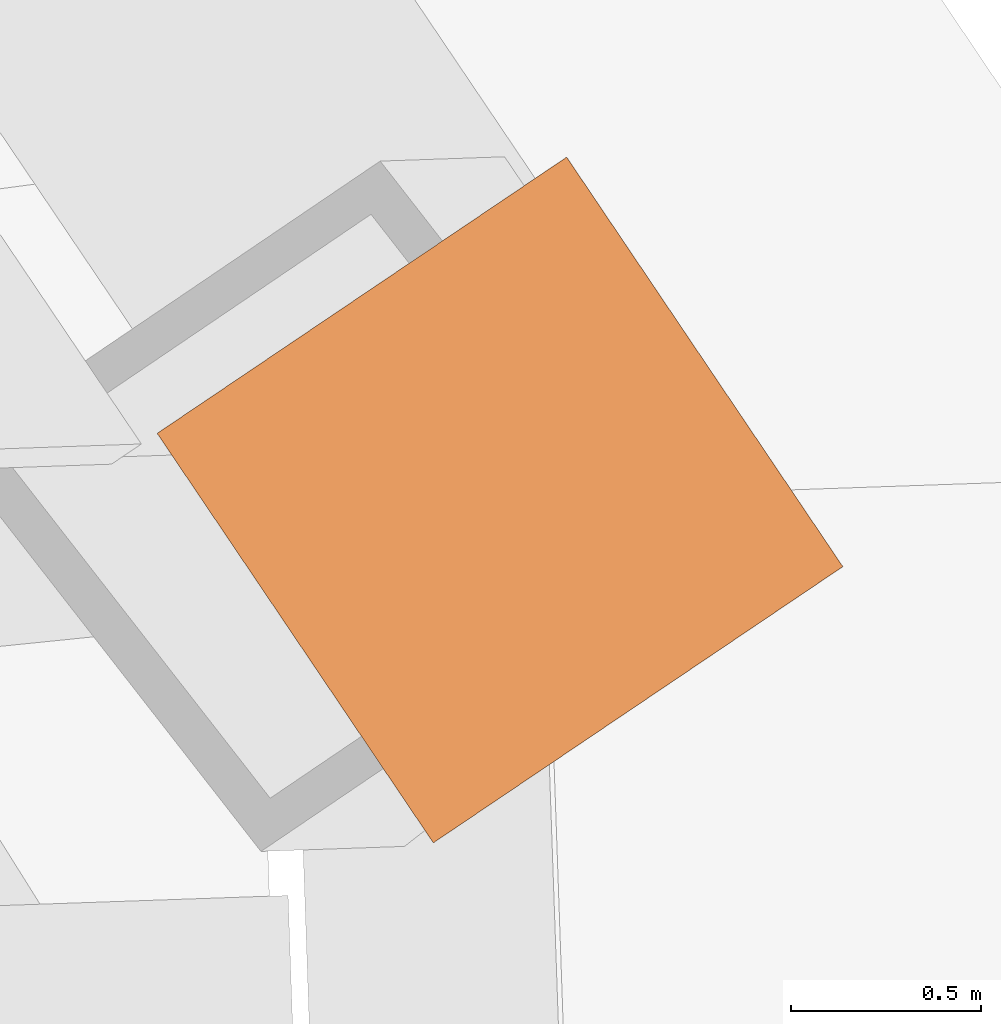
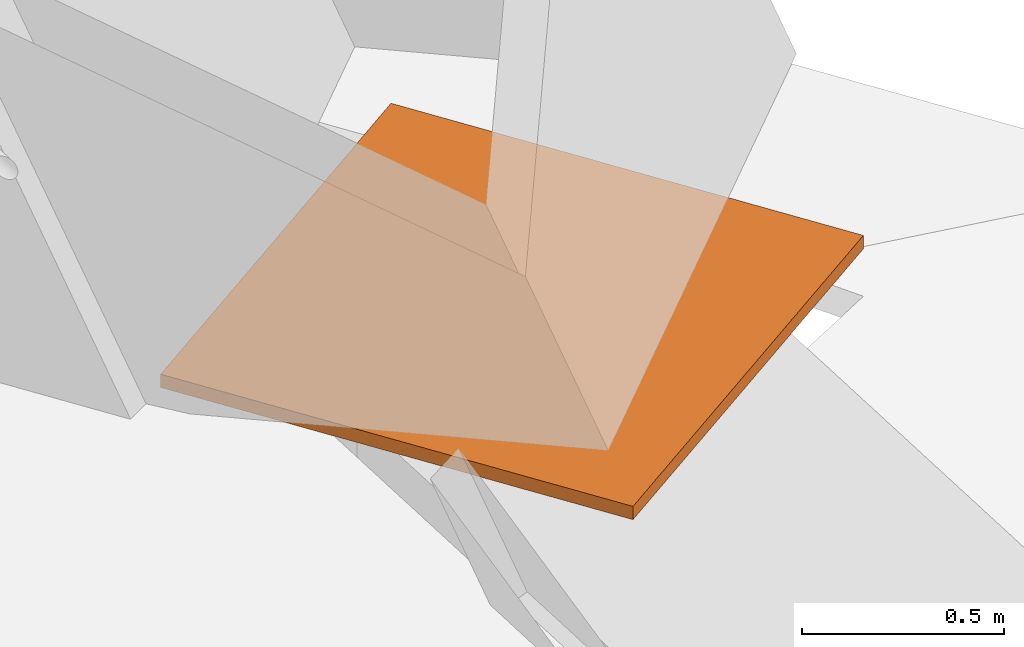
# One storey, part 12 of 12: 1 proxy.
"""IFC4 building model written with IfcOpenShell, lengths in metres."""

from ifc_helpers import new_model, si_unit, direction, frame, origin, origin_2d, place, context, subcontext, project, spatial, rectangle, extrude, material, material_profile, profile_set, type_object, element, save


model = new_model("IFC4")

# Units and contexts
model_context = context("Model", 3, precision=1e-05, world=origin(), true_north=direction((0.0, 1.0)))
body_context = subcontext(model_context, "Body", "Model", "MODEL_VIEW")
ifc_project = project(units=[si_unit("LENGTHUNIT", "METRE"), si_unit("AREAUNIT", "SQUARE_METRE"), si_unit("VOLUMEUNIT", "CUBIC_METRE"), si_unit("PLANEANGLEUNIT", "RADIAN"), si_unit("MASSUNIT", "GRAM", prefix="KILO")], contexts=[model_context])

# Site, building, storey
site_placement = place(None, origin())
site = spatial("IfcSite", under=ifc_project, at=site_placement, CompositionType="ELEMENT")
building_placement = place(site_placement, origin())
building = spatial("IfcBuilding", under=site, at=building_placement, Name="Qingtian Harvest Tower", CompositionType="ELEMENT")
storey_placement = place(building_placement, frame((0.0, 0.0, 97.0)))
storey = spatial("IfcBuildingStorey", under=building, at=storey_placement, Name="L19", CompositionType="ELEMENT", Elevation=97.0)

# Proxy
ifc_material = material(Name="Steel SM570MC", Category="steel")
ifc_material_profile = material_profile(ifc_material, rectangle(XDim=1.300048828125, YDim=1.300048828125, at=origin_2d()), Name="PL1300X1300X40")
ifc_profile_set = profile_set([ifc_material_profile], Name="Steel SM570MC")
building_element_proxy_type = type_object("IfcBuildingElementProxyType", Name="Column cap plate CP3 PL1300X1300X40", PredefinedType="NOTDEFINED", material=ifc_profile_set)
proxy_placement = place(storey_placement, frame((30.476318359375, 3.100830078125, 0.0), z_axis=(0.0, 0.0, 1.0), x_axis=(-0.559192903471, 0.829037572555, 0.0)))
element("IfcBuildingElementProxy", 1, at=proxy_placement, inside=storey, type_object=building_element_proxy_type, Name="Cap plate CP3 on Tube column TK1 NE6", PredefinedType="NOTDEFINED", context=body_context, shape_type="SweptSolid", body=[
    extrude(rectangle(XDim=1.300048828125, YDim=1.300048828125, at=origin_2d()), origin(), (0.0, 0.0, 1.0), 0.0400390625),
])

save(model, "model.ifc")
